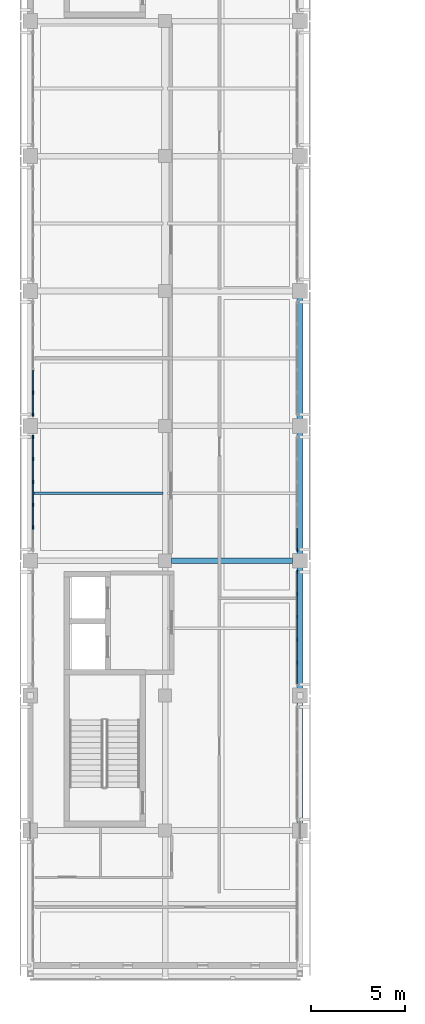
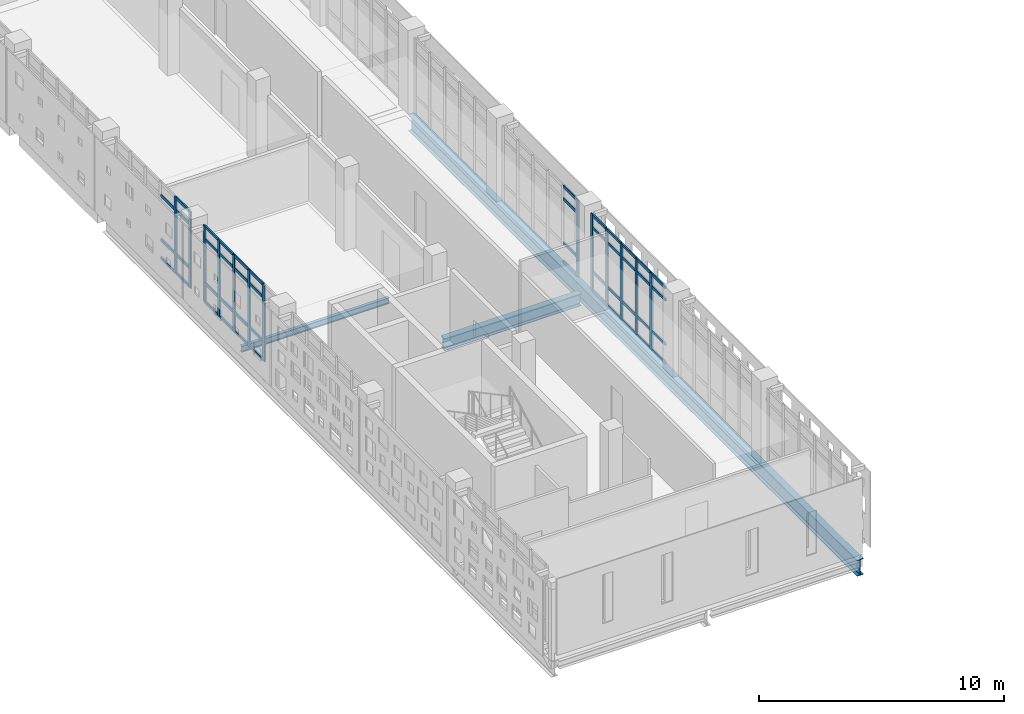
# One storey, part 5 of 33: 60 members, 3 beams, 4 elements without a shape of their own.
"""IFC4 building model written with IfcOpenShell, lengths in metres."""

from ifc_helpers import new_model, si_unit, direction, frame, origin, origin_2d, place, context, subcontext, project, spatial, rectangle, i_section, extrude, material, layer, layer_set, material_profile, profile_set, type_object, element, aggregate, save


model = new_model("IFC4")

# Units and contexts
model_context = context("Model", 3, precision=1e-05, world=origin(), true_north=direction((0.0, 1.0)))
body_context = subcontext(model_context, "Body", "Model", "MODEL_VIEW")
ifc_project = project(units=[si_unit("LENGTHUNIT", "METRE"), si_unit("AREAUNIT", "SQUARE_METRE"), si_unit("VOLUMEUNIT", "CUBIC_METRE"), si_unit("PLANEANGLEUNIT", "RADIAN"), si_unit("MASSUNIT", "GRAM", prefix="KILO")], contexts=[model_context])

# Site, building, storey
site_placement = place(None, origin())
site = spatial("IfcSite", under=ifc_project, at=site_placement, CompositionType="ELEMENT")
building_placement = place(site_placement, origin())
building = spatial("IfcBuilding", under=site, at=building_placement, Name="Valkovuoma Quantum and Materials Research Institute", CompositionType="ELEMENT")
storey_placement = place(building_placement, frame((0.0, 0.0, 21.43994140625)))
storey = spatial("IfcBuildingStorey", under=building, at=storey_placement, Name="L05", CompositionType="ELEMENT", Elevation=21.43994140625)

# Beams
ifc_material_1 = material(Name="Steel S355J2", Category="steel")
ifc_material_profile_1 = material_profile(ifc_material_1, i_section(OverallWidth=0.300048828125, OverallDepth=0.60009765625, WebThickness=0.015380859375, FlangeThickness=0.030029296875, FilletRadius=0.027099609375, at=origin_2d()), Name="Steel S355J2")
ifc_profile_set_1 = profile_set([ifc_material_profile_1], Name="Steel S355J2")
beam_type_1 = type_object("IfcBeamType", Name="Beam-B-HEB600", PredefinedType="BEAM", material=ifc_profile_set_1)
beam_1_placement = place(storey_placement, frame((7.550048828125, 43.199951171875, -0.64990234375), z_axis=(1.0, 0.0, 0.0), x_axis=(0.0, 1.0, 0.0)))
element("IfcBeam", 1, at=beam_1_placement, inside=storey, type_object=beam_type_1, Name="L05 beam X-2116", PredefinedType="BEAM", context=body_context, shape_type="SweptSolid", body=[
    extrude(i_section(OverallWidth=0.300048828125, OverallDepth=0.60009765625, WebThickness=0.015380859375, FlangeThickness=0.030029296875, FilletRadius=0.027099609375, at=origin_2d()), origin(), (0.0, 0.0, 1.0), 6.449951171875),
])
ifc_material_2 = material(Name="Steel S355J2", Category="steel")
ifc_material_profile_2 = material_profile(ifc_material_2, i_section(OverallWidth=0.300048828125, OverallDepth=0.800048828125, WebThickness=0.017578125, FlangeThickness=0.032958984375, FilletRadius=0.030029296875, at=origin_2d()), Name="Steel S355J2")
ifc_profile_set_2 = profile_set([ifc_material_profile_2], Name="Steel S355J2")
beam_type_2 = type_object("IfcBeamType", Name="Beam-B-HEB800", PredefinedType="BEAM", material=ifc_profile_set_2)
beam_2_placement = place(storey_placement, frame((14.39990234375, 21.0, -0.75), z_axis=(0.0, 1.0, 0.0), x_axis=(-1.0, 0.0, 0.0)))
element("IfcBeam", 2, at=beam_2_placement, inside=storey, type_object=beam_type_2, Name="L05 cantilever girder X2", PredefinedType="BEAM", context=body_context, shape_type="SweptSolid", body=[
    extrude(i_section(OverallWidth=0.300048828125, OverallDepth=0.800048828125, WebThickness=0.017578125, FlangeThickness=0.032958984375, FilletRadius=0.030029296875, at=origin_2d()), origin(), (0.0, 0.0, 1.0), 36.60009765625),
])
ifc_material_3 = material(Name="Steel S355J2", Category="steel")
ifc_material_profile_3 = material_profile(ifc_material_3, i_section(OverallWidth=0.14990234375, OverallDepth=0.300048828125, WebThickness=0.007080078125, FlangeThickness=0.0107421875, FilletRadius=0.014892578125, at=origin_2d()), Name="Steel S355J2")
ifc_profile_set_3 = profile_set([ifc_material_profile_3], Name="Steel S355J2")
beam_type_3 = type_object("IfcBeamType", Name="Beam-B-JST300", PredefinedType="JOIST", material=ifc_profile_set_3)
beam_3_placement = place(storey_placement, frame((0.1201171875, 46.800048828125, -0.5), z_axis=(1.0, 0.0, 0.0), x_axis=(0.0, 1.0, 0.0)))
element("IfcBeam", 3, at=beam_3_placement, inside=storey, type_object=beam_type_3, Name="L05 floor joist 2266", PredefinedType="JOIST", context=body_context, shape_type="SweptSolid", body=[
    extrude(i_section(OverallWidth=0.14990234375, OverallDepth=0.300048828125, WebThickness=0.007080078125, FlangeThickness=0.0107421875, FilletRadius=0.014892578125, at=origin_2d()), origin(), (0.0, 0.0, 1.0), 6.9599609375),
])

# Curtain wall, members
ifc_material_4 = material(Name="Thermally broken aluminium and triple low-E glazing", Category="aluminium")
ifc_layer = layer(ifc_material_4, 0.219970703125)
ifc_layer_set = layer_set([ifc_layer], Name="Thermally broken aluminium and triple low-E glazing")
curtain_wall_type = type_object("IfcCurtainWallType", Name="CW-CW-01", PredefinedType="NOTDEFINED", material=ifc_layer_set)
curtain_wall_1_placement = place(storey_placement, origin())
curtain_wall_1 = element("IfcCurtainWall", 4, at=curtain_wall_1_placement, inside=storey, type_object=curtain_wall_type, Name="L05 curtain wall 059", PredefinedType="NOTDEFINED")
ifc_material_5 = material(Name="Anodised aluminium 6060-T66", Category="aluminium")
ifc_material_profile_4 = material_profile(ifc_material_5, rectangle(XDim=0.06494140625, YDim=0.179931640625, at=origin_2d()), Name="Anodised aluminium 6060-T66")
ifc_profile_set_4 = profile_set([ifc_material_profile_4], Name="Anodised aluminium 6060-T66")
member_type_1 = type_object("IfcMemberType", Name="CWMull-CWM-01", PredefinedType="MULLION", material=ifc_profile_set_4)
member_1_placement = place(storey_placement, frame((14.25, 37.774169921875, 0.0), z_axis=(0.0, 0.0, 1.0), x_axis=(-1.0, 0.0, 0.0)))
member_1 = element("IfcMember", 5, at=member_1_placement, type_object=member_type_1, Name="CW-01 mullion 2", PredefinedType="MULLION", context=body_context, shape_type="SweptSolid", body=[
    extrude(rectangle(XDim=0.06494140625, YDim=0.179931640625, at=origin_2d()), origin(), (0.0, 0.0, 1.0), 3.81005859375),
])
member_2_placement = place(storey_placement, frame((14.25, 38.991455078125, 0.0), z_axis=(0.0, 0.0, 1.0), x_axis=(-1.0, 0.0, 0.0)))
member_2 = element("IfcMember", 6, at=member_2_placement, type_object=member_type_1, Name="CW-01 mullion 3", PredefinedType="MULLION", context=body_context, shape_type="SweptSolid", body=[
    extrude(rectangle(XDim=0.06494140625, YDim=0.179931640625, at=origin_2d()), origin(), (0.0, 0.0, 1.0), 3.81005859375),
])
member_3_placement = place(storey_placement, frame((14.25, 40.20849609375, 0.0), z_axis=(0.0, 0.0, 1.0), x_axis=(-1.0, 0.0, 0.0)))
member_3 = element("IfcMember", 7, at=member_3_placement, type_object=member_type_1, Name="CW-01 mullion 4", PredefinedType="MULLION", context=body_context, shape_type="SweptSolid", body=[
    extrude(rectangle(XDim=0.06494140625, YDim=0.179931640625, at=origin_2d()), origin(), (0.0, 0.0, 1.0), 3.81005859375),
])
member_4_placement = place(storey_placement, frame((14.25, 41.42578125, 0.0), z_axis=(0.0, 0.0, 1.0), x_axis=(-1.0, 0.0, 0.0)))
member_4 = element("IfcMember", 8, at=member_4_placement, type_object=member_type_1, Name="CW-01 mullion 5", PredefinedType="MULLION", context=body_context, shape_type="SweptSolid", body=[
    extrude(rectangle(XDim=0.06494140625, YDim=0.179931640625, at=origin_2d()), origin(), (0.0, 0.0, 1.0), 3.81005859375),
])
member_5_placement = place(storey_placement, frame((14.25, 42.6103515625, 0.0), z_axis=(0.0, 0.0, 1.0), x_axis=(-1.0, 0.0, 0.0)))
member_5 = element("IfcMember", 9, at=member_5_placement, type_object=member_type_1, Name="CW-01 mullion 6", PredefinedType="MULLION", context=body_context, shape_type="SweptSolid", body=[
    extrude(rectangle(XDim=0.06494140625, YDim=0.179931640625, at=origin_2d()), origin(), (0.0, 0.0, 1.0), 3.81005859375),
])

curtain_wall_2_placement = place(storey_placement, origin())
curtain_wall_2 = element("IfcCurtainWall", 10, at=curtain_wall_2_placement, inside=storey, type_object=curtain_wall_type, Name="L05 curtain wall 060", PredefinedType="NOTDEFINED")
member_6_placement = place(storey_placement, frame((0.14990234375, 44.974365234375, 0.0), z_axis=(0.0, 0.0, 1.0), x_axis=(-1.0, 0.0, 0.0)))
member_6 = element("IfcMember", 11, at=member_6_placement, type_object=member_type_1, Name="CW-01 mullion 2", PredefinedType="MULLION", context=body_context, shape_type="SweptSolid", body=[
    extrude(rectangle(XDim=0.06494140625, YDim=0.179931640625, at=origin_2d()), origin(), (0.0, 0.0, 1.0), 3.81005859375),
])
member_7_placement = place(storey_placement, frame((0.14990234375, 46.19140625, 0.0), z_axis=(0.0, 0.0, 1.0), x_axis=(-1.0, 0.0, 0.0)))
member_7 = element("IfcMember", 12, at=member_7_placement, type_object=member_type_1, Name="CW-01 mullion 3", PredefinedType="MULLION", context=body_context, shape_type="SweptSolid", body=[
    extrude(rectangle(XDim=0.06494140625, YDim=0.179931640625, at=origin_2d()), origin(), (0.0, 0.0, 1.0), 3.81005859375),
])
member_8_placement = place(storey_placement, frame((0.14990234375, 47.40869140625, 0.0), z_axis=(0.0, 0.0, 1.0), x_axis=(-1.0, 0.0, 0.0)))
member_8 = element("IfcMember", 13, at=member_8_placement, type_object=member_type_1, Name="CW-01 mullion 4", PredefinedType="MULLION", context=body_context, shape_type="SweptSolid", body=[
    extrude(rectangle(XDim=0.06494140625, YDim=0.179931640625, at=origin_2d()), origin(), (0.0, 0.0, 1.0), 3.81005859375),
])
member_9_placement = place(storey_placement, frame((0.14990234375, 48.625732421875, 0.0), z_axis=(0.0, 0.0, 1.0), x_axis=(-1.0, 0.0, 0.0)))
member_9 = element("IfcMember", 14, at=member_9_placement, type_object=member_type_1, Name="CW-01 mullion 5", PredefinedType="MULLION", context=body_context, shape_type="SweptSolid", body=[
    extrude(rectangle(XDim=0.06494140625, YDim=0.179931640625, at=origin_2d()), origin(), (0.0, 0.0, 1.0), 3.81005859375),
])
member_10_placement = place(storey_placement, frame((0.14990234375, 49.810302734375, 0.0), z_axis=(0.0, 0.0, 1.0), x_axis=(-1.0, 0.0, 0.0)))
member_10 = element("IfcMember", 15, at=member_10_placement, type_object=member_type_1, Name="CW-01 mullion 6", PredefinedType="MULLION", context=body_context, shape_type="SweptSolid", body=[
    extrude(rectangle(XDim=0.06494140625, YDim=0.179931640625, at=origin_2d()), origin(), (0.0, 0.0, 1.0), 3.81005859375),
])

# Curtain wall, member
curtain_wall_3_placement = place(storey_placement, origin())
curtain_wall_3 = element("IfcCurtainWall", 16, at=curtain_wall_3_placement, inside=storey, type_object=curtain_wall_type, Name="L05 curtain wall 061", PredefinedType="NOTDEFINED")
member_11_placement = place(storey_placement, frame((14.25, 43.78955078125, 0.0), z_axis=(0.0, 0.0, 1.0), x_axis=(-1.0, 0.0, 0.0)))
member_11 = element("IfcMember", 17, at=member_11_placement, type_object=member_type_1, Name="CW-01 mullion 1", PredefinedType="MULLION", context=body_context, shape_type="SweptSolid", body=[
    extrude(rectangle(XDim=0.06494140625, YDim=0.179931640625, at=origin_2d()), origin(), (0.0, 0.0, 1.0), 3.81005859375),
])

# Curtain wall, members
curtain_wall_4_placement = place(storey_placement, origin())
curtain_wall_4 = element("IfcCurtainWall", 18, at=curtain_wall_4_placement, inside=storey, type_object=curtain_wall_type, Name="L05 curtain wall 062", PredefinedType="NOTDEFINED")
member_12_placement = place(storey_placement, frame((0.14990234375, 50.989501953125, 0.0), z_axis=(0.0, 0.0, 1.0), x_axis=(-1.0, 0.0, 0.0)))
member_12 = element("IfcMember", 19, at=member_12_placement, type_object=member_type_1, Name="CW-01 mullion 1", PredefinedType="MULLION", context=body_context, shape_type="SweptSolid", body=[
    extrude(rectangle(XDim=0.06494140625, YDim=0.179931640625, at=origin_2d()), origin(), (0.0, 0.0, 1.0), 3.81005859375),
])
member_13_placement = place(storey_placement, frame((0.14990234375, 52.17431640625, 0.0), z_axis=(0.0, 0.0, 1.0), x_axis=(-1.0, 0.0, 0.0)))
member_13 = element("IfcMember", 20, at=member_13_placement, type_object=member_type_1, Name="CW-01 mullion 2", PredefinedType="MULLION", context=body_context, shape_type="SweptSolid", body=[
    extrude(rectangle(XDim=0.06494140625, YDim=0.179931640625, at=origin_2d()), origin(), (0.0, 0.0, 1.0), 3.81005859375),
])

# Member
ifc_material_6 = material(Name="Anodised aluminium 6060-T66", Category="aluminium")
ifc_material_profile_5 = material_profile(ifc_material_6, rectangle(XDim=0.06494140625, YDim=0.139892578125, at=origin_2d()), Name="Anodised aluminium 6060-T66")
ifc_profile_set_5 = profile_set([ifc_material_profile_5], Name="Anodised aluminium 6060-T66")
member_type_2 = type_object("IfcMemberType", Name="CWTran-CWT-01", PredefinedType="USERDEFINED", material=ifc_profile_set_5)
member_14_placement = place(storey_placement, frame((14.25, 36.6220703125, 0.032470703125), z_axis=(0.0, 1.0, 0.0), x_axis=(-1.0, 0.0, 0.0)))
member_14 = element("IfcMember", 21, at=member_14_placement, type_object=member_type_2, Name="CW-01 transom 1.1", ObjectType="TRANSOM", PredefinedType="USERDEFINED", context=body_context, shape_type="SweptSolid", body=[
    extrude(rectangle(XDim=0.06494140625, YDim=0.139892578125, at=origin_2d()), origin(), (0.0, 0.0, 1.0), 1.11962890625),
])

member_15_placement = place(storey_placement, frame((14.25, 36.6220703125, 0.949951171875), z_axis=(0.0, 1.0, 0.0), x_axis=(-1.0, 0.0, 0.0)))
member_15 = element("IfcMember", 22, at=member_15_placement, type_object=member_type_2, Name="CW-01 transom 1.2", ObjectType="TRANSOM", PredefinedType="USERDEFINED", context=body_context, shape_type="SweptSolid", body=[
    extrude(rectangle(XDim=0.06494140625, YDim=0.139892578125, at=origin_2d()), origin(), (0.0, 0.0, 1.0), 1.11962890625),
])

member_16_placement = place(storey_placement, frame((14.25, 36.6220703125, 3.16015625), z_axis=(0.0, 1.0, 0.0), x_axis=(-1.0, 0.0, 0.0)))
member_16 = element("IfcMember", 23, at=member_16_placement, type_object=member_type_2, Name="CW-01 transom 1.3", ObjectType="TRANSOM", PredefinedType="USERDEFINED", context=body_context, shape_type="SweptSolid", body=[
    extrude(rectangle(XDim=0.06494140625, YDim=0.139892578125, at=origin_2d()), origin(), (0.0, 0.0, 1.0), 1.11962890625),
])

member_17_placement = place(storey_placement, frame((14.25, 36.6220703125, 3.777587890625), z_axis=(0.0, 1.0, 0.0), x_axis=(-1.0, 0.0, 0.0)))
member_17 = element("IfcMember", 24, at=member_17_placement, type_object=member_type_2, Name="CW-01 transom 1.4", ObjectType="TRANSOM", PredefinedType="USERDEFINED", context=body_context, shape_type="SweptSolid", body=[
    extrude(rectangle(XDim=0.06494140625, YDim=0.139892578125, at=origin_2d()), origin(), (0.0, 0.0, 1.0), 1.11962890625),
])

member_18_placement = place(storey_placement, frame((14.25, 37.806640625, 0.032470703125), z_axis=(0.0, 1.0, 0.0), x_axis=(-1.0, 0.0, 0.0)))
member_18 = element("IfcMember", 25, at=member_18_placement, type_object=member_type_2, Name="CW-01 transom 2.1", ObjectType="TRANSOM", PredefinedType="USERDEFINED", context=body_context, shape_type="SweptSolid", body=[
    extrude(rectangle(XDim=0.06494140625, YDim=0.139892578125, at=origin_2d()), origin(), (0.0, 0.0, 1.0), 1.15234375),
])

member_19_placement = place(storey_placement, frame((14.25, 37.806640625, 0.949951171875), z_axis=(0.0, 1.0, 0.0), x_axis=(-1.0, 0.0, 0.0)))
member_19 = element("IfcMember", 26, at=member_19_placement, type_object=member_type_2, Name="CW-01 transom 2.2", ObjectType="TRANSOM", PredefinedType="USERDEFINED", context=body_context, shape_type="SweptSolid", body=[
    extrude(rectangle(XDim=0.06494140625, YDim=0.139892578125, at=origin_2d()), origin(), (0.0, 0.0, 1.0), 1.15234375),
])

member_20_placement = place(storey_placement, frame((14.25, 37.806640625, 3.16015625), z_axis=(0.0, 1.0, 0.0), x_axis=(-1.0, 0.0, 0.0)))
member_20 = element("IfcMember", 27, at=member_20_placement, type_object=member_type_2, Name="CW-01 transom 2.3", ObjectType="TRANSOM", PredefinedType="USERDEFINED", context=body_context, shape_type="SweptSolid", body=[
    extrude(rectangle(XDim=0.06494140625, YDim=0.139892578125, at=origin_2d()), origin(), (0.0, 0.0, 1.0), 1.15234375),
])

member_21_placement = place(storey_placement, frame((14.25, 37.806640625, 3.777587890625), z_axis=(0.0, 1.0, 0.0), x_axis=(-1.0, 0.0, 0.0)))
member_21 = element("IfcMember", 28, at=member_21_placement, type_object=member_type_2, Name="CW-01 transom 2.4", ObjectType="TRANSOM", PredefinedType="USERDEFINED", context=body_context, shape_type="SweptSolid", body=[
    extrude(rectangle(XDim=0.06494140625, YDim=0.139892578125, at=origin_2d()), origin(), (0.0, 0.0, 1.0), 1.15234375),
])

member_22_placement = place(storey_placement, frame((14.25, 39.02392578125, 0.032470703125), z_axis=(0.0, 1.0, 0.0), x_axis=(-1.0, 0.0, 0.0)))
member_22 = element("IfcMember", 29, at=member_22_placement, type_object=member_type_2, Name="CW-01 transom 3.1", ObjectType="TRANSOM", PredefinedType="USERDEFINED", context=body_context, shape_type="SweptSolid", body=[
    extrude(rectangle(XDim=0.06494140625, YDim=0.139892578125, at=origin_2d()), origin(), (0.0, 0.0, 1.0), 1.152099609375),
])

member_23_placement = place(storey_placement, frame((14.25, 39.02392578125, 0.949951171875), z_axis=(0.0, 1.0, 0.0), x_axis=(-1.0, 0.0, 0.0)))
member_23 = element("IfcMember", 30, at=member_23_placement, type_object=member_type_2, Name="CW-01 transom 3.2", ObjectType="TRANSOM", PredefinedType="USERDEFINED", context=body_context, shape_type="SweptSolid", body=[
    extrude(rectangle(XDim=0.06494140625, YDim=0.139892578125, at=origin_2d()), origin(), (0.0, 0.0, 1.0), 1.152099609375),
])

member_24_placement = place(storey_placement, frame((14.25, 39.02392578125, 3.16015625), z_axis=(0.0, 1.0, 0.0), x_axis=(-1.0, 0.0, 0.0)))
member_24 = element("IfcMember", 31, at=member_24_placement, type_object=member_type_2, Name="CW-01 transom 3.3", ObjectType="TRANSOM", PredefinedType="USERDEFINED", context=body_context, shape_type="SweptSolid", body=[
    extrude(rectangle(XDim=0.06494140625, YDim=0.139892578125, at=origin_2d()), origin(), (0.0, 0.0, 1.0), 1.152099609375),
])

member_25_placement = place(storey_placement, frame((14.25, 39.02392578125, 3.777587890625), z_axis=(0.0, 1.0, 0.0), x_axis=(-1.0, 0.0, 0.0)))
member_25 = element("IfcMember", 32, at=member_25_placement, type_object=member_type_2, Name="CW-01 transom 3.4", ObjectType="TRANSOM", PredefinedType="USERDEFINED", context=body_context, shape_type="SweptSolid", body=[
    extrude(rectangle(XDim=0.06494140625, YDim=0.139892578125, at=origin_2d()), origin(), (0.0, 0.0, 1.0), 1.152099609375),
])

member_26_placement = place(storey_placement, frame((14.25, 40.240966796875, 0.032470703125), z_axis=(0.0, 1.0, 0.0), x_axis=(-1.0, 0.0, 0.0)))
member_26 = element("IfcMember", 33, at=member_26_placement, type_object=member_type_2, Name="CW-01 transom 4.1", ObjectType="TRANSOM", PredefinedType="USERDEFINED", context=body_context, shape_type="SweptSolid", body=[
    extrude(rectangle(XDim=0.06494140625, YDim=0.139892578125, at=origin_2d()), origin(), (0.0, 0.0, 1.0), 1.15234375),
])

member_27_placement = place(storey_placement, frame((14.25, 40.240966796875, 0.949951171875), z_axis=(0.0, 1.0, 0.0), x_axis=(-1.0, 0.0, 0.0)))
member_27 = element("IfcMember", 34, at=member_27_placement, type_object=member_type_2, Name="CW-01 transom 4.2", ObjectType="TRANSOM", PredefinedType="USERDEFINED", context=body_context, shape_type="SweptSolid", body=[
    extrude(rectangle(XDim=0.06494140625, YDim=0.139892578125, at=origin_2d()), origin(), (0.0, 0.0, 1.0), 1.15234375),
])

member_28_placement = place(storey_placement, frame((14.25, 40.240966796875, 3.16015625), z_axis=(0.0, 1.0, 0.0), x_axis=(-1.0, 0.0, 0.0)))
member_28 = element("IfcMember", 35, at=member_28_placement, type_object=member_type_2, Name="CW-01 transom 4.3", ObjectType="TRANSOM", PredefinedType="USERDEFINED", context=body_context, shape_type="SweptSolid", body=[
    extrude(rectangle(XDim=0.06494140625, YDim=0.139892578125, at=origin_2d()), origin(), (0.0, 0.0, 1.0), 1.15234375),
])

member_29_placement = place(storey_placement, frame((14.25, 40.240966796875, 3.777587890625), z_axis=(0.0, 1.0, 0.0), x_axis=(-1.0, 0.0, 0.0)))
member_29 = element("IfcMember", 36, at=member_29_placement, type_object=member_type_2, Name="CW-01 transom 4.4", ObjectType="TRANSOM", PredefinedType="USERDEFINED", context=body_context, shape_type="SweptSolid", body=[
    extrude(rectangle(XDim=0.06494140625, YDim=0.139892578125, at=origin_2d()), origin(), (0.0, 0.0, 1.0), 1.15234375),
])

member_30_placement = place(storey_placement, frame((14.25, 41.458251953125, 0.032470703125), z_axis=(0.0, 1.0, 0.0), x_axis=(-1.0, 0.0, 0.0)))
member_30 = element("IfcMember", 37, at=member_30_placement, type_object=member_type_2, Name="CW-01 transom 5.1", ObjectType="TRANSOM", PredefinedType="USERDEFINED", context=body_context, shape_type="SweptSolid", body=[
    extrude(rectangle(XDim=0.06494140625, YDim=0.139892578125, at=origin_2d()), origin(), (0.0, 0.0, 1.0), 1.11962890625),
])

member_31_placement = place(storey_placement, frame((14.25, 41.458251953125, 0.949951171875), z_axis=(0.0, 1.0, 0.0), x_axis=(-1.0, 0.0, 0.0)))
member_31 = element("IfcMember", 38, at=member_31_placement, type_object=member_type_2, Name="CW-01 transom 5.2", ObjectType="TRANSOM", PredefinedType="USERDEFINED", context=body_context, shape_type="SweptSolid", body=[
    extrude(rectangle(XDim=0.06494140625, YDim=0.139892578125, at=origin_2d()), origin(), (0.0, 0.0, 1.0), 1.11962890625),
])

member_32_placement = place(storey_placement, frame((14.25, 41.458251953125, 3.16015625), z_axis=(0.0, 1.0, 0.0), x_axis=(-1.0, 0.0, 0.0)))
member_32 = element("IfcMember", 39, at=member_32_placement, type_object=member_type_2, Name="CW-01 transom 5.3", ObjectType="TRANSOM", PredefinedType="USERDEFINED", context=body_context, shape_type="SweptSolid", body=[
    extrude(rectangle(XDim=0.06494140625, YDim=0.139892578125, at=origin_2d()), origin(), (0.0, 0.0, 1.0), 1.11962890625),
])

member_33_placement = place(storey_placement, frame((14.25, 41.458251953125, 3.777587890625), z_axis=(0.0, 1.0, 0.0), x_axis=(-1.0, 0.0, 0.0)))
member_33 = element("IfcMember", 40, at=member_33_placement, type_object=member_type_2, Name="CW-01 transom 5.4", ObjectType="TRANSOM", PredefinedType="USERDEFINED", context=body_context, shape_type="SweptSolid", body=[
    extrude(rectangle(XDim=0.06494140625, YDim=0.139892578125, at=origin_2d()), origin(), (0.0, 0.0, 1.0), 1.11962890625),
])

aggregate(curtain_wall_1, [member_1, member_2, member_3, member_4, member_5, member_14, member_15, member_16, member_17, member_18, member_19, member_20, member_21, member_22, member_23, member_24, member_25, member_26, member_27, member_28, member_29, member_30, member_31, member_32, member_33])

member_34_placement = place(storey_placement, frame((0.14990234375, 45.0068359375, 0.032470703125), z_axis=(0.0, 1.0, 0.0), x_axis=(-1.0, 0.0, 0.0)))
member_34 = element("IfcMember", 41, at=member_34_placement, type_object=member_type_2, Name="CW-01 transom 2.1", ObjectType="TRANSOM", PredefinedType="USERDEFINED", context=body_context, shape_type="SweptSolid", body=[
    extrude(rectangle(XDim=0.06494140625, YDim=0.139892578125, at=origin_2d()), origin(), (0.0, 0.0, 1.0), 1.152099609375),
])

member_35_placement = place(storey_placement, frame((0.14990234375, 45.0068359375, 0.949951171875), z_axis=(0.0, 1.0, 0.0), x_axis=(-1.0, 0.0, 0.0)))
member_35 = element("IfcMember", 42, at=member_35_placement, type_object=member_type_2, Name="CW-01 transom 2.2", ObjectType="TRANSOM", PredefinedType="USERDEFINED", context=body_context, shape_type="SweptSolid", body=[
    extrude(rectangle(XDim=0.06494140625, YDim=0.139892578125, at=origin_2d()), origin(), (0.0, 0.0, 1.0), 1.152099609375),
])

member_36_placement = place(storey_placement, frame((0.14990234375, 45.0068359375, 3.16015625), z_axis=(0.0, 1.0, 0.0), x_axis=(-1.0, 0.0, 0.0)))
member_36 = element("IfcMember", 43, at=member_36_placement, type_object=member_type_2, Name="CW-01 transom 2.3", ObjectType="TRANSOM", PredefinedType="USERDEFINED", context=body_context, shape_type="SweptSolid", body=[
    extrude(rectangle(XDim=0.06494140625, YDim=0.139892578125, at=origin_2d()), origin(), (0.0, 0.0, 1.0), 1.152099609375),
])

member_37_placement = place(storey_placement, frame((0.14990234375, 45.0068359375, 3.777587890625), z_axis=(0.0, 1.0, 0.0), x_axis=(-1.0, 0.0, 0.0)))
member_37 = element("IfcMember", 44, at=member_37_placement, type_object=member_type_2, Name="CW-01 transom 2.4", ObjectType="TRANSOM", PredefinedType="USERDEFINED", context=body_context, shape_type="SweptSolid", body=[
    extrude(rectangle(XDim=0.06494140625, YDim=0.139892578125, at=origin_2d()), origin(), (0.0, 0.0, 1.0), 1.152099609375),
])

member_38_placement = place(storey_placement, frame((0.14990234375, 46.223876953125, 0.032470703125), z_axis=(0.0, 1.0, 0.0), x_axis=(-1.0, 0.0, 0.0)))
member_38 = element("IfcMember", 45, at=member_38_placement, type_object=member_type_2, Name="CW-01 transom 3.1", ObjectType="TRANSOM", PredefinedType="USERDEFINED", context=body_context, shape_type="SweptSolid", body=[
    extrude(rectangle(XDim=0.06494140625, YDim=0.139892578125, at=origin_2d()), origin(), (0.0, 0.0, 1.0), 1.152099609375),
])

member_39_placement = place(storey_placement, frame((0.14990234375, 46.223876953125, 0.949951171875), z_axis=(0.0, 1.0, 0.0), x_axis=(-1.0, 0.0, 0.0)))
member_39 = element("IfcMember", 46, at=member_39_placement, type_object=member_type_2, Name="CW-01 transom 3.2", ObjectType="TRANSOM", PredefinedType="USERDEFINED", context=body_context, shape_type="SweptSolid", body=[
    extrude(rectangle(XDim=0.06494140625, YDim=0.139892578125, at=origin_2d()), origin(), (0.0, 0.0, 1.0), 1.152099609375),
])

member_40_placement = place(storey_placement, frame((0.14990234375, 46.223876953125, 3.16015625), z_axis=(0.0, 1.0, 0.0), x_axis=(-1.0, 0.0, 0.0)))
member_40 = element("IfcMember", 47, at=member_40_placement, type_object=member_type_2, Name="CW-01 transom 3.3", ObjectType="TRANSOM", PredefinedType="USERDEFINED", context=body_context, shape_type="SweptSolid", body=[
    extrude(rectangle(XDim=0.06494140625, YDim=0.139892578125, at=origin_2d()), origin(), (0.0, 0.0, 1.0), 1.152099609375),
])

member_41_placement = place(storey_placement, frame((0.14990234375, 46.223876953125, 3.777587890625), z_axis=(0.0, 1.0, 0.0), x_axis=(-1.0, 0.0, 0.0)))
member_41 = element("IfcMember", 48, at=member_41_placement, type_object=member_type_2, Name="CW-01 transom 3.4", ObjectType="TRANSOM", PredefinedType="USERDEFINED", context=body_context, shape_type="SweptSolid", body=[
    extrude(rectangle(XDim=0.06494140625, YDim=0.139892578125, at=origin_2d()), origin(), (0.0, 0.0, 1.0), 1.152099609375),
])

member_42_placement = place(storey_placement, frame((0.14990234375, 47.441162109375, 0.032470703125), z_axis=(0.0, 1.0, 0.0), x_axis=(-1.0, 0.0, 0.0)))
member_42 = element("IfcMember", 49, at=member_42_placement, type_object=member_type_2, Name="CW-01 transom 4.1", ObjectType="TRANSOM", PredefinedType="USERDEFINED", context=body_context, shape_type="SweptSolid", body=[
    extrude(rectangle(XDim=0.06494140625, YDim=0.139892578125, at=origin_2d()), origin(), (0.0, 0.0, 1.0), 1.152099609375),
])

member_43_placement = place(storey_placement, frame((0.14990234375, 47.441162109375, 0.949951171875), z_axis=(0.0, 1.0, 0.0), x_axis=(-1.0, 0.0, 0.0)))
member_43 = element("IfcMember", 50, at=member_43_placement, type_object=member_type_2, Name="CW-01 transom 4.2", ObjectType="TRANSOM", PredefinedType="USERDEFINED", context=body_context, shape_type="SweptSolid", body=[
    extrude(rectangle(XDim=0.06494140625, YDim=0.139892578125, at=origin_2d()), origin(), (0.0, 0.0, 1.0), 1.152099609375),
])

member_44_placement = place(storey_placement, frame((0.14990234375, 47.441162109375, 3.16015625), z_axis=(0.0, 1.0, 0.0), x_axis=(-1.0, 0.0, 0.0)))
member_44 = element("IfcMember", 51, at=member_44_placement, type_object=member_type_2, Name="CW-01 transom 4.3", ObjectType="TRANSOM", PredefinedType="USERDEFINED", context=body_context, shape_type="SweptSolid", body=[
    extrude(rectangle(XDim=0.06494140625, YDim=0.139892578125, at=origin_2d()), origin(), (0.0, 0.0, 1.0), 1.152099609375),
])

member_45_placement = place(storey_placement, frame((0.14990234375, 47.441162109375, 3.777587890625), z_axis=(0.0, 1.0, 0.0), x_axis=(-1.0, 0.0, 0.0)))
member_45 = element("IfcMember", 52, at=member_45_placement, type_object=member_type_2, Name="CW-01 transom 4.4", ObjectType="TRANSOM", PredefinedType="USERDEFINED", context=body_context, shape_type="SweptSolid", body=[
    extrude(rectangle(XDim=0.06494140625, YDim=0.139892578125, at=origin_2d()), origin(), (0.0, 0.0, 1.0), 1.152099609375),
])

member_46_placement = place(storey_placement, frame((0.14990234375, 48.658203125, 0.032470703125), z_axis=(0.0, 1.0, 0.0), x_axis=(-1.0, 0.0, 0.0)))
member_46 = element("IfcMember", 53, at=member_46_placement, type_object=member_type_2, Name="CW-01 transom 5.1", ObjectType="TRANSOM", PredefinedType="USERDEFINED", context=body_context, shape_type="SweptSolid", body=[
    extrude(rectangle(XDim=0.06494140625, YDim=0.139892578125, at=origin_2d()), origin(), (0.0, 0.0, 1.0), 1.11962890625),
])

member_47_placement = place(storey_placement, frame((0.14990234375, 48.658203125, 0.949951171875), z_axis=(0.0, 1.0, 0.0), x_axis=(-1.0, 0.0, 0.0)))
member_47 = element("IfcMember", 54, at=member_47_placement, type_object=member_type_2, Name="CW-01 transom 5.2", ObjectType="TRANSOM", PredefinedType="USERDEFINED", context=body_context, shape_type="SweptSolid", body=[
    extrude(rectangle(XDim=0.06494140625, YDim=0.139892578125, at=origin_2d()), origin(), (0.0, 0.0, 1.0), 1.11962890625),
])

member_48_placement = place(storey_placement, frame((0.14990234375, 48.658203125, 3.16015625), z_axis=(0.0, 1.0, 0.0), x_axis=(-1.0, 0.0, 0.0)))
member_48 = element("IfcMember", 55, at=member_48_placement, type_object=member_type_2, Name="CW-01 transom 5.3", ObjectType="TRANSOM", PredefinedType="USERDEFINED", context=body_context, shape_type="SweptSolid", body=[
    extrude(rectangle(XDim=0.06494140625, YDim=0.139892578125, at=origin_2d()), origin(), (0.0, 0.0, 1.0), 1.11962890625),
])

member_49_placement = place(storey_placement, frame((0.14990234375, 48.658203125, 3.777587890625), z_axis=(0.0, 1.0, 0.0), x_axis=(-1.0, 0.0, 0.0)))
member_49 = element("IfcMember", 56, at=member_49_placement, type_object=member_type_2, Name="CW-01 transom 5.4", ObjectType="TRANSOM", PredefinedType="USERDEFINED", context=body_context, shape_type="SweptSolid", body=[
    extrude(rectangle(XDim=0.06494140625, YDim=0.139892578125, at=origin_2d()), origin(), (0.0, 0.0, 1.0), 1.11962890625),
])

aggregate(curtain_wall_2, [member_6, member_7, member_8, member_9, member_10, member_34, member_35, member_36, member_37, member_38, member_39, member_40, member_41, member_42, member_43, member_44, member_45, member_46, member_47, member_48, member_49])

member_50_placement = place(storey_placement, frame((14.25, 43.822021484375, 0.032470703125), z_axis=(0.0, 1.0, 0.0), x_axis=(-1.0, 0.0, 0.0)))
member_50 = element("IfcMember", 57, at=member_50_placement, type_object=member_type_2, Name="CW-01 transom 1.1", ObjectType="TRANSOM", PredefinedType="USERDEFINED", context=body_context, shape_type="SweptSolid", body=[
    extrude(rectangle(XDim=0.06494140625, YDim=0.139892578125, at=origin_2d()), origin(), (0.0, 0.0, 1.0), 1.11962890625),
])

member_51_placement = place(storey_placement, frame((14.25, 43.822021484375, 0.949951171875), z_axis=(0.0, 1.0, 0.0), x_axis=(-1.0, 0.0, 0.0)))
member_51 = element("IfcMember", 58, at=member_51_placement, type_object=member_type_2, Name="CW-01 transom 1.2", ObjectType="TRANSOM", PredefinedType="USERDEFINED", context=body_context, shape_type="SweptSolid", body=[
    extrude(rectangle(XDim=0.06494140625, YDim=0.139892578125, at=origin_2d()), origin(), (0.0, 0.0, 1.0), 1.11962890625),
])

member_52_placement = place(storey_placement, frame((14.25, 43.822021484375, 3.16015625), z_axis=(0.0, 1.0, 0.0), x_axis=(-1.0, 0.0, 0.0)))
member_52 = element("IfcMember", 59, at=member_52_placement, type_object=member_type_2, Name="CW-01 transom 1.3", ObjectType="TRANSOM", PredefinedType="USERDEFINED", context=body_context, shape_type="SweptSolid", body=[
    extrude(rectangle(XDim=0.06494140625, YDim=0.139892578125, at=origin_2d()), origin(), (0.0, 0.0, 1.0), 1.11962890625),
])

member_53_placement = place(storey_placement, frame((14.25, 43.822021484375, 3.777587890625), z_axis=(0.0, 1.0, 0.0), x_axis=(-1.0, 0.0, 0.0)))
member_53 = element("IfcMember", 60, at=member_53_placement, type_object=member_type_2, Name="CW-01 transom 1.4", ObjectType="TRANSOM", PredefinedType="USERDEFINED", context=body_context, shape_type="SweptSolid", body=[
    extrude(rectangle(XDim=0.06494140625, YDim=0.139892578125, at=origin_2d()), origin(), (0.0, 0.0, 1.0), 1.11962890625),
])

aggregate(curtain_wall_3, [member_11, member_50, member_51, member_52, member_53])

member_54_placement = place(storey_placement, frame((0.14990234375, 51.022216796875, 0.032470703125), z_axis=(0.0, 1.0, 0.0), x_axis=(-1.0, 0.0, 0.0)))
member_54 = element("IfcMember", 61, at=member_54_placement, type_object=member_type_2, Name="CW-01 transom 1.1", ObjectType="TRANSOM", PredefinedType="USERDEFINED", context=body_context, shape_type="SweptSolid", body=[
    extrude(rectangle(XDim=0.06494140625, YDim=0.139892578125, at=origin_2d()), origin(), (0.0, 0.0, 1.0), 1.11962890625),
])

member_55_placement = place(storey_placement, frame((0.14990234375, 51.022216796875, 0.949951171875), z_axis=(0.0, 1.0, 0.0), x_axis=(-1.0, 0.0, 0.0)))
member_55 = element("IfcMember", 62, at=member_55_placement, type_object=member_type_2, Name="CW-01 transom 1.2", ObjectType="TRANSOM", PredefinedType="USERDEFINED", context=body_context, shape_type="SweptSolid", body=[
    extrude(rectangle(XDim=0.06494140625, YDim=0.139892578125, at=origin_2d()), origin(), (0.0, 0.0, 1.0), 1.11962890625),
])

member_56_placement = place(storey_placement, frame((0.14990234375, 51.022216796875, 3.16015625), z_axis=(0.0, 1.0, 0.0), x_axis=(-1.0, 0.0, 0.0)))
member_56 = element("IfcMember", 63, at=member_56_placement, type_object=member_type_2, Name="CW-01 transom 1.3", ObjectType="TRANSOM", PredefinedType="USERDEFINED", context=body_context, shape_type="SweptSolid", body=[
    extrude(rectangle(XDim=0.06494140625, YDim=0.139892578125, at=origin_2d()), origin(), (0.0, 0.0, 1.0), 1.11962890625),
])

member_57_placement = place(storey_placement, frame((0.14990234375, 51.022216796875, 3.777587890625), z_axis=(0.0, 1.0, 0.0), x_axis=(-1.0, 0.0, 0.0)))
member_57 = element("IfcMember", 64, at=member_57_placement, type_object=member_type_2, Name="CW-01 transom 1.4", ObjectType="TRANSOM", PredefinedType="USERDEFINED", context=body_context, shape_type="SweptSolid", body=[
    extrude(rectangle(XDim=0.06494140625, YDim=0.139892578125, at=origin_2d()), origin(), (0.0, 0.0, 1.0), 1.11962890625),
])

member_58_placement = place(storey_placement, frame((0.14990234375, 52.206787109375, 0.032470703125), z_axis=(0.0, 1.0, 0.0), x_axis=(-1.0, 0.0, 0.0)))
member_58 = element("IfcMember", 65, at=member_58_placement, type_object=member_type_2, Name="CW-01 transom 2.1", ObjectType="TRANSOM", PredefinedType="USERDEFINED", context=body_context, shape_type="SweptSolid", body=[
    extrude(rectangle(XDim=0.06494140625, YDim=0.139892578125, at=origin_2d()), origin(), (0.0, 0.0, 1.0), 1.152099609375),
])

member_59_placement = place(storey_placement, frame((0.14990234375, 52.206787109375, 0.949951171875), z_axis=(0.0, 1.0, 0.0), x_axis=(-1.0, 0.0, 0.0)))
member_59 = element("IfcMember", 66, at=member_59_placement, type_object=member_type_2, Name="CW-01 transom 2.2", ObjectType="TRANSOM", PredefinedType="USERDEFINED", context=body_context, shape_type="SweptSolid", body=[
    extrude(rectangle(XDim=0.06494140625, YDim=0.139892578125, at=origin_2d()), origin(), (0.0, 0.0, 1.0), 1.152099609375),
])

member_60_placement = place(storey_placement, frame((0.14990234375, 52.206787109375, 3.16015625), z_axis=(0.0, 1.0, 0.0), x_axis=(-1.0, 0.0, 0.0)))
member_60 = element("IfcMember", 67, at=member_60_placement, type_object=member_type_2, Name="CW-01 transom 2.3", ObjectType="TRANSOM", PredefinedType="USERDEFINED", context=body_context, shape_type="SweptSolid", body=[
    extrude(rectangle(XDim=0.06494140625, YDim=0.139892578125, at=origin_2d()), origin(), (0.0, 0.0, 1.0), 1.152099609375),
])

aggregate(curtain_wall_4, [member_12, member_13, member_54, member_55, member_56, member_57, member_58, member_59, member_60])

save(model, "model.ifc")
